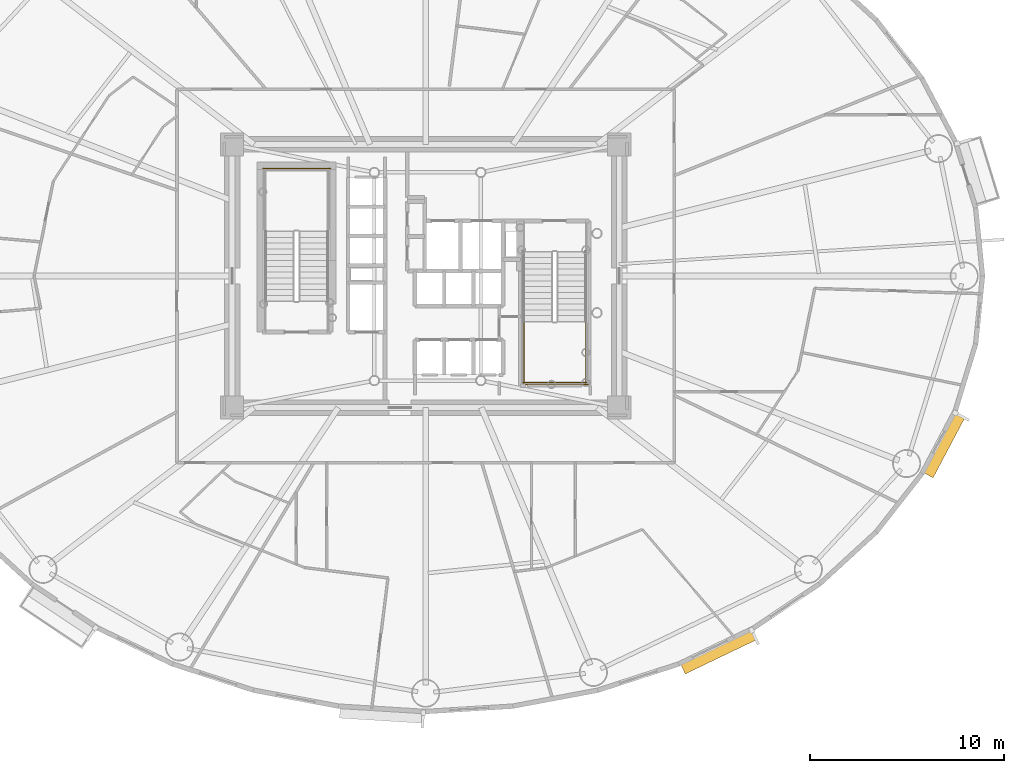
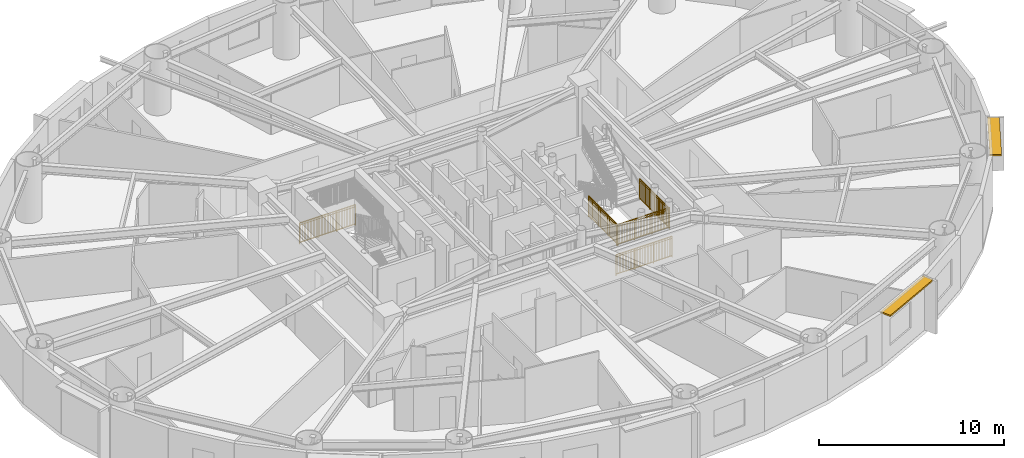
# One storey, part 16 of 18: 5 railings, 2 shading devices.
"""IFC4 building model written with IfcOpenShell, lengths in metres."""

from ifc_helpers import new_model, si_unit, direction, frame, origin, origin_2d, place, context, subcontext, project, spatial, rectangle, extrude, source, transform, mapped, material, layer, layer_set, type_object, element, save


model = new_model("IFC4")

# Units and contexts
model_context = context("Model", 3, precision=1e-05, world=origin(), true_north=direction((0.0, 1.0)))
body_context = subcontext(model_context, "Body", "Model", "MODEL_VIEW")
ifc_project = project(units=[si_unit("LENGTHUNIT", "METRE"), si_unit("AREAUNIT", "SQUARE_METRE"), si_unit("VOLUMEUNIT", "CUBIC_METRE"), si_unit("PLANEANGLEUNIT", "RADIAN"), si_unit("MASSUNIT", "GRAM", prefix="KILO")], contexts=[model_context])

# Site, building, storey
site_placement = place(None, origin())
site = spatial("IfcSite", under=ifc_project, at=site_placement, CompositionType="ELEMENT")
building_placement = place(site_placement, origin())
building = spatial("IfcBuilding", under=site, at=building_placement, Name="Linh Dai School and Residence Tower", CompositionType="ELEMENT")
storey_placement = place(building_placement, frame((0.0, 0.0, 100.949951171875)))
storey = spatial("IfcBuildingStorey", under=building, at=storey_placement, Name="L23", CompositionType="ELEMENT", Elevation=100.949951171875)

# Shading devices
ifc_material_1 = material(Name="Terracotta Ceramic Sunshade", Category="masonry")
ifc_layer = layer(ifc_material_1, 0.10009765625)
ifc_layer_set = layer_set([ifc_layer], Name="Terracotta Ceramic Sunshade")
shading_device_type = type_object("IfcShadingDeviceType", Name="SHD-TC-650", PredefinedType="USERDEFINED", material=ifc_layer_set)
shared_shape_1 = source(origin(), body_context, "Body", "SweptSolid", [
    extrude(rectangle(XDim=4.1005859375, YDim=0.64990234375, at=origin_2d()), origin(), (0.0, 0.0, 1.0), 0.10009765625),
])
shading_device_1_placement = place(storey_placement, frame((51.122802734375, 7.61962890625, 3.3798828125), z_axis=(0.0, 0.0, 1.0), x_axis=(-0.901577518371, -0.432617589064, 0.0)))
element("IfcShadingDevice", 1, at=shading_device_1_placement, inside=storey, type_object=shading_device_type, Name="L23 Terracotta Horizontal Sunshade Band 34", ObjectType="SUNSHADE", PredefinedType="USERDEFINED", context=body_context, shape_type="MappedRepresentation", body=[
    mapped(shared_shape_1, transform((0.0, 0.0, 0.0), x_axis=(1.0, 0.0, 0.0), y_axis=(0.0, 1.0, 0.0), z_axis=(0.0, 0.0, 1.0), scale=1.0)),
])
shared_shape_2 = source(origin(), body_context, "Body", "SweptSolid", [
    extrude(rectangle(XDim=3.541015625, YDim=0.64990234375, at=origin_2d()), origin(), (0.0, 0.0, 1.0), 0.10009765625),
])
shading_device_2_placement = place(storey_placement, frame((62.759521484375, 18.291259765625, 3.3798828125), z_axis=(0.0, 0.0, 1.0), x_axis=(-0.467596217252, -0.883942180016, 0.0)))
element("IfcShadingDevice", 2, at=shading_device_2_placement, inside=storey, type_object=shading_device_type, Name="L23 Terracotta Horizontal Sunshade Band 38", ObjectType="SUNSHADE", PredefinedType="USERDEFINED", context=body_context, shape_type="MappedRepresentation", body=[
    mapped(shared_shape_2, transform((0.0, 0.0, 0.0), x_axis=(1.0, 0.0, 0.0), y_axis=(0.0, 1.0, 0.0), z_axis=(0.0, 0.0, 1.0), scale=1.0)),
])

# Railings
ifc_material_2 = material(Name="Structural Steel S355JR", Category="steel")
railing_type = type_object("IfcRailingType", Name="RL-ST-GUARD-1400", PredefinedType="GUARDRAIL", material=ifc_material_2)
shared_shape_3 = source(origin(), body_context, "Body", "SweptSolid", [
    extrude(rectangle(XDim=0.048095703125, YDim=0.048095703125, at=origin_2d()), frame((0.0, 0.0, 1.3759765625), z_axis=(-1.0, 0.0, 0.0), x_axis=(0.0, -1.0, 0.0)), (0.0, 0.0, 1.0), 3.5),
    extrude(rectangle(XDim=0.048095703125, YDim=0.048095703125, at=origin_2d()), frame((0.0, 0.0, 0.10009765625), z_axis=(-1.0, 0.0, 0.0), x_axis=(0.0, -1.0, 0.0)), (0.0, 0.0, 1.0), 3.5),
    extrude(rectangle(XDim=0.030029296875, YDim=0.030029296875, at=origin_2d()), frame((0.0, 0.0, 1.239990234375), z_axis=(-1.0, 0.0, 0.0), x_axis=(0.0, -1.0, 0.0)), (0.0, 0.0, 1.0), 3.5),
    extrude(rectangle(XDim=0.02001953125, YDim=0.02001953125, at=origin_2d()), frame((-0.09716796875, 0.0, 0.10009765625)), (0.0, 0.0, 1.0), 1.251708984375),
    extrude(rectangle(XDim=0.02001953125, YDim=0.02001953125, at=origin_2d()), frame((-0.1943359375, 0.0, 0.10009765625)), (0.0, 0.0, 1.0), 1.251708984375),
    extrude(rectangle(XDim=0.02001953125, YDim=0.02001953125, at=origin_2d()), frame((-0.291748046875, 0.0, 0.10009765625)), (0.0, 0.0, 1.0), 1.251708984375),
    extrude(rectangle(XDim=0.02001953125, YDim=0.02001953125, at=origin_2d()), frame((-0.388916015625, 0.0, 0.10009765625)), (0.0, 0.0, 1.0), 1.251708984375),
    extrude(rectangle(XDim=0.02001953125, YDim=0.02001953125, at=origin_2d()), frame((-0.486083984375, 0.0, 0.10009765625)), (0.0, 0.0, 1.0), 1.251708984375),
    extrude(rectangle(XDim=0.02001953125, YDim=0.02001953125, at=origin_2d()), frame((-0.583251953125, 0.0, 0.10009765625)), (0.0, 0.0, 1.0), 1.251708984375),
    extrude(rectangle(XDim=0.02001953125, YDim=0.02001953125, at=origin_2d()), frame((-0.6806640625, 0.0, 0.10009765625)), (0.0, 0.0, 1.0), 1.251708984375),
    extrude(rectangle(XDim=0.02001953125, YDim=0.02001953125, at=origin_2d()), frame((-0.77783203125, 0.0, 0.10009765625)), (0.0, 0.0, 1.0), 1.251708984375),
    extrude(rectangle(XDim=0.02001953125, YDim=0.02001953125, at=origin_2d()), frame((-0.875, 0.0, 0.10009765625)), (0.0, 0.0, 1.0), 1.251708984375),
    extrude(rectangle(XDim=0.02001953125, YDim=0.02001953125, at=origin_2d()), frame((-0.97216796875, 0.0, 0.10009765625)), (0.0, 0.0, 1.0), 1.251708984375),
    extrude(rectangle(XDim=0.02001953125, YDim=0.02001953125, at=origin_2d()), frame((-1.0693359375, 0.0, 0.10009765625)), (0.0, 0.0, 1.0), 1.251708984375),
    extrude(rectangle(XDim=0.02001953125, YDim=0.02001953125, at=origin_2d()), frame((-1.263916015625, 0.0, 0.10009765625)), (0.0, 0.0, 1.0), 1.251708984375),
    extrude(rectangle(XDim=0.02001953125, YDim=0.02001953125, at=origin_2d()), frame((-1.361083984375, 0.0, 0.10009765625)), (0.0, 0.0, 1.0), 1.251708984375),
    extrude(rectangle(XDim=0.02001953125, YDim=0.02001953125, at=origin_2d()), frame((-1.458251953125, 0.0, 0.10009765625)), (0.0, 0.0, 1.0), 1.251708984375),
    extrude(rectangle(XDim=0.02001953125, YDim=0.02001953125, at=origin_2d()), frame((-1.5556640625, 0.0, 0.10009765625)), (0.0, 0.0, 1.0), 1.251708984375),
    extrude(rectangle(XDim=0.02001953125, YDim=0.02001953125, at=origin_2d()), frame((-1.65283203125, 0.0, 0.10009765625)), (0.0, 0.0, 1.0), 1.251708984375),
    extrude(rectangle(XDim=0.02001953125, YDim=0.02001953125, at=origin_2d()), frame((-1.75, 0.0, 0.10009765625)), (0.0, 0.0, 1.0), 1.251708984375),
    extrude(rectangle(XDim=0.02001953125, YDim=0.02001953125, at=origin_2d()), frame((-1.84716796875, 0.0, 0.10009765625)), (0.0, 0.0, 1.0), 1.251708984375),
    extrude(rectangle(XDim=0.02001953125, YDim=0.02001953125, at=origin_2d()), frame((-1.9443359375, 0.0, 0.10009765625)), (0.0, 0.0, 1.0), 1.251708984375),
    extrude(rectangle(XDim=0.02001953125, YDim=0.02001953125, at=origin_2d()), frame((-2.041748046875, 0.0, 0.10009765625)), (0.0, 0.0, 1.0), 1.251708984375),
    extrude(rectangle(XDim=0.02001953125, YDim=0.02001953125, at=origin_2d()), frame((-2.138916015625, 0.0, 0.10009765625)), (0.0, 0.0, 1.0), 1.251708984375),
    extrude(rectangle(XDim=0.02001953125, YDim=0.02001953125, at=origin_2d()), frame((-2.236083984375, 0.0, 0.10009765625)), (0.0, 0.0, 1.0), 1.251708984375),
    extrude(rectangle(XDim=0.02001953125, YDim=0.02001953125, at=origin_2d()), frame((-2.4306640625, 0.0, 0.10009765625)), (0.0, 0.0, 1.0), 1.251708984375),
    extrude(rectangle(XDim=0.02001953125, YDim=0.02001953125, at=origin_2d()), frame((-2.52783203125, 0.0, 0.10009765625)), (0.0, 0.0, 1.0), 1.251708984375),
    extrude(rectangle(XDim=0.02001953125, YDim=0.02001953125, at=origin_2d()), frame((-2.625, 0.0, 0.10009765625)), (0.0, 0.0, 1.0), 1.251708984375),
    extrude(rectangle(XDim=0.02001953125, YDim=0.02001953125, at=origin_2d()), frame((-2.72216796875, 0.0, 0.10009765625)), (0.0, 0.0, 1.0), 1.251708984375),
    extrude(rectangle(XDim=0.02001953125, YDim=0.02001953125, at=origin_2d()), frame((-2.8193359375, 0.0, 0.10009765625)), (0.0, 0.0, 1.0), 1.251708984375),
    extrude(rectangle(XDim=0.02001953125, YDim=0.02001953125, at=origin_2d()), frame((-2.916748046875, 0.0, 0.10009765625)), (0.0, 0.0, 1.0), 1.251708984375),
    extrude(rectangle(XDim=0.02001953125, YDim=0.02001953125, at=origin_2d()), frame((-3.013916015625, 0.0, 0.10009765625)), (0.0, 0.0, 1.0), 1.251708984375),
    extrude(rectangle(XDim=0.02001953125, YDim=0.02001953125, at=origin_2d()), frame((-3.111083984375, 0.0, 0.10009765625)), (0.0, 0.0, 1.0), 1.251708984375),
    extrude(rectangle(XDim=0.02001953125, YDim=0.02001953125, at=origin_2d()), frame((-3.208251953125, 0.0, 0.10009765625)), (0.0, 0.0, 1.0), 1.251708984375),
    extrude(rectangle(XDim=0.02001953125, YDim=0.02001953125, at=origin_2d()), frame((-3.3056640625, 0.0, 0.10009765625)), (0.0, 0.0, 1.0), 1.251708984375),
    extrude(rectangle(XDim=0.02001953125, YDim=0.02001953125, at=origin_2d()), frame((-3.40283203125, 0.0, 0.10009765625)), (0.0, 0.0, 1.0), 1.251708984375),
    extrude(rectangle(XDim=0.0419921875, YDim=0.0419921875, at=origin_2d()), origin(), (0.0, 0.0, 1.0), 1.3759765625),
    extrude(rectangle(XDim=0.0419921875, YDim=0.0419921875, at=origin_2d()), frame((-1.166748046875, 0.0, 0.0)), (0.0, 0.0, 1.0), 1.3759765625),
    extrude(rectangle(XDim=0.0419921875, YDim=0.0419921875, at=origin_2d()), frame((-2.333251953125, 0.0, 0.0)), (0.0, 0.0, 1.0), 1.3759765625),
    extrude(rectangle(XDim=0.0419921875, YDim=0.0419921875, at=origin_2d()), frame((-3.5, 0.0, 0.0)), (0.0, 0.0, 1.0), 1.3759765625),
])
railing_1_placement = place(storey_placement, frame((31.080078125, 32.550048828125, 0.0)))
element("IfcRailing", 3, at=railing_1_placement, inside=storey, type_object=railing_type, Name="L23 ST1 stair guard 12", PredefinedType="GUARDRAIL", context=body_context, shape_type="MappedRepresentation", body=[
    mapped(shared_shape_3, transform((0.0, 0.0, 0.0), x_axis=(1.0, 0.0, 0.0), y_axis=(0.0, 1.0, 0.0), z_axis=(0.0, 0.0, 1.0), scale=1.0)),
])
shared_shape_4 = source(origin(), body_context, "Body", "SweptSolid", [
    extrude(rectangle(XDim=0.048095703125, YDim=0.048095703125, at=origin_2d()), frame((0.0, 0.0, 1.3759765625), z_axis=(1.0, 0.0, 0.0), x_axis=(0.0, 1.0, 0.0)), (0.0, 0.0, 1.0), 3.300048828125),
    extrude(rectangle(XDim=0.048095703125, YDim=0.048095703125, at=origin_2d()), frame((0.0, 0.0, 0.10009765625), z_axis=(1.0, 0.0, 0.0), x_axis=(0.0, 1.0, 0.0)), (0.0, 0.0, 1.0), 3.300048828125),
    extrude(rectangle(XDim=0.030029296875, YDim=0.030029296875, at=origin_2d()), frame((0.0, 0.0, 1.239990234375), z_axis=(1.0, 0.0, 0.0), x_axis=(0.0, 1.0, 0.0)), (0.0, 0.0, 1.0), 3.300048828125),
    extrude(rectangle(XDim=0.02001953125, YDim=0.02001953125, at=origin_2d()), frame((0.09716796875, 0.0, 0.10009765625)), (0.0, 0.0, 1.0), 1.251708984375),
    extrude(rectangle(XDim=0.02001953125, YDim=0.02001953125, at=origin_2d()), frame((0.194091796875, 0.0, 0.10009765625)), (0.0, 0.0, 1.0), 1.251708984375),
    extrude(rectangle(XDim=0.02001953125, YDim=0.02001953125, at=origin_2d()), frame((0.291259765625, 0.0, 0.10009765625)), (0.0, 0.0, 1.0), 1.251708984375),
    extrude(rectangle(XDim=0.02001953125, YDim=0.02001953125, at=origin_2d()), frame((0.38818359375, 0.0, 0.10009765625)), (0.0, 0.0, 1.0), 1.251708984375),
    extrude(rectangle(XDim=0.02001953125, YDim=0.02001953125, at=origin_2d()), frame((0.4853515625, 0.0, 0.10009765625)), (0.0, 0.0, 1.0), 1.251708984375),
    extrude(rectangle(XDim=0.02001953125, YDim=0.02001953125, at=origin_2d()), frame((0.582275390625, 0.0, 0.10009765625)), (0.0, 0.0, 1.0), 1.251708984375),
    extrude(rectangle(XDim=0.02001953125, YDim=0.02001953125, at=origin_2d()), frame((0.679443359375, 0.0, 0.10009765625)), (0.0, 0.0, 1.0), 1.251708984375),
    extrude(rectangle(XDim=0.02001953125, YDim=0.02001953125, at=origin_2d()), frame((0.7763671875, 0.0, 0.10009765625)), (0.0, 0.0, 1.0), 1.251708984375),
    extrude(rectangle(XDim=0.02001953125, YDim=0.02001953125, at=origin_2d()), frame((0.87353515625, 0.0, 0.10009765625)), (0.0, 0.0, 1.0), 1.251708984375),
    extrude(rectangle(XDim=0.02001953125, YDim=0.02001953125, at=origin_2d()), frame((0.970703125, 0.0, 0.10009765625)), (0.0, 0.0, 1.0), 1.251708984375),
    extrude(rectangle(XDim=0.02001953125, YDim=0.02001953125, at=origin_2d()), frame((1.164794921875, 0.0, 0.10009765625)), (0.0, 0.0, 1.0), 1.251708984375),
    extrude(rectangle(XDim=0.02001953125, YDim=0.02001953125, at=origin_2d()), frame((1.26171875, 0.0, 0.10009765625)), (0.0, 0.0, 1.0), 1.251708984375),
    extrude(rectangle(XDim=0.02001953125, YDim=0.02001953125, at=origin_2d()), frame((1.35888671875, 0.0, 0.10009765625)), (0.0, 0.0, 1.0), 1.251708984375),
    extrude(rectangle(XDim=0.02001953125, YDim=0.02001953125, at=origin_2d()), frame((1.455810546875, 0.0, 0.10009765625)), (0.0, 0.0, 1.0), 1.251708984375),
    extrude(rectangle(XDim=0.02001953125, YDim=0.02001953125, at=origin_2d()), frame((1.552978515625, 0.0, 0.10009765625)), (0.0, 0.0, 1.0), 1.251708984375),
    extrude(rectangle(XDim=0.02001953125, YDim=0.02001953125, at=origin_2d()), frame((1.64990234375, 0.0, 0.10009765625)), (0.0, 0.0, 1.0), 1.251708984375),
    extrude(rectangle(XDim=0.02001953125, YDim=0.02001953125, at=origin_2d()), frame((1.7470703125, 0.0, 0.10009765625)), (0.0, 0.0, 1.0), 1.251708984375),
    extrude(rectangle(XDim=0.02001953125, YDim=0.02001953125, at=origin_2d()), frame((1.84423828125, 0.0, 0.10009765625)), (0.0, 0.0, 1.0), 1.251708984375),
    extrude(rectangle(XDim=0.02001953125, YDim=0.02001953125, at=origin_2d()), frame((1.941162109375, 0.0, 0.10009765625)), (0.0, 0.0, 1.0), 1.251708984375),
    extrude(rectangle(XDim=0.02001953125, YDim=0.02001953125, at=origin_2d()), frame((2.038330078125, 0.0, 0.10009765625)), (0.0, 0.0, 1.0), 1.251708984375),
    extrude(rectangle(XDim=0.02001953125, YDim=0.02001953125, at=origin_2d()), frame((2.13525390625, 0.0, 0.10009765625)), (0.0, 0.0, 1.0), 1.251708984375),
    extrude(rectangle(XDim=0.02001953125, YDim=0.02001953125, at=origin_2d()), frame((2.329345703125, 0.0, 0.10009765625)), (0.0, 0.0, 1.0), 1.251708984375),
    extrude(rectangle(XDim=0.02001953125, YDim=0.02001953125, at=origin_2d()), frame((2.426513671875, 0.0, 0.10009765625)), (0.0, 0.0, 1.0), 1.251708984375),
    extrude(rectangle(XDim=0.02001953125, YDim=0.02001953125, at=origin_2d()), frame((2.523681640625, 0.0, 0.10009765625)), (0.0, 0.0, 1.0), 1.251708984375),
    extrude(rectangle(XDim=0.02001953125, YDim=0.02001953125, at=origin_2d()), frame((2.62060546875, 0.0, 0.10009765625)), (0.0, 0.0, 1.0), 1.251708984375),
    extrude(rectangle(XDim=0.02001953125, YDim=0.02001953125, at=origin_2d()), frame((2.7177734375, 0.0, 0.10009765625)), (0.0, 0.0, 1.0), 1.251708984375),
    extrude(rectangle(XDim=0.02001953125, YDim=0.02001953125, at=origin_2d()), frame((2.814697265625, 0.0, 0.10009765625)), (0.0, 0.0, 1.0), 1.251708984375),
    extrude(rectangle(XDim=0.02001953125, YDim=0.02001953125, at=origin_2d()), frame((2.911865234375, 0.0, 0.10009765625)), (0.0, 0.0, 1.0), 1.251708984375),
    extrude(rectangle(XDim=0.02001953125, YDim=0.02001953125, at=origin_2d()), frame((3.0087890625, 0.0, 0.10009765625)), (0.0, 0.0, 1.0), 1.251708984375),
    extrude(rectangle(XDim=0.02001953125, YDim=0.02001953125, at=origin_2d()), frame((3.10595703125, 0.0, 0.10009765625)), (0.0, 0.0, 1.0), 1.251708984375),
    extrude(rectangle(XDim=0.02001953125, YDim=0.02001953125, at=origin_2d()), frame((3.202880859375, 0.0, 0.10009765625)), (0.0, 0.0, 1.0), 1.251708984375),
    extrude(rectangle(XDim=0.0419921875, YDim=0.0419921875, at=origin_2d()), origin(), (0.0, 0.0, 1.0), 1.3759765625),
    extrude(rectangle(XDim=0.0419921875, YDim=0.0419921875, at=origin_2d()), frame((1.10009765625, 0.0, 0.0)), (0.0, 0.0, 1.0), 1.3759765625),
    extrude(rectangle(XDim=0.0419921875, YDim=0.0419921875, at=origin_2d()), frame((2.199951171875, 0.0, 0.0)), (0.0, 0.0, 1.0), 1.3759765625),
    extrude(rectangle(XDim=0.0419921875, YDim=0.0419921875, at=origin_2d()), frame((3.300048828125, 0.0, 0.0)), (0.0, 0.0, 1.0), 1.3759765625),
])
railing_2_placement = place(storey_placement, frame((41.02001953125, 21.5, 1.875)))
element("IfcRailing", 4, at=railing_2_placement, inside=storey, type_object=railing_type, Name="L23 ST2 stair guard 5", PredefinedType="GUARDRAIL", context=body_context, shape_type="MappedRepresentation", body=[
    mapped(shared_shape_4, transform((0.0, 0.0, 0.0), x_axis=(1.0, 0.0, 0.0), y_axis=(0.0, 1.0, 0.0), z_axis=(0.0, 0.0, 1.0), scale=1.0)),
])
shared_shape_5 = source(origin(), body_context, "Body", "SweptSolid", [
    extrude(rectangle(XDim=0.048095703125, YDim=0.048095703125, at=origin_2d()), frame((0.0, 0.0, 1.3759765625), z_axis=(1.0, 0.0, 0.0), x_axis=(0.0, 1.0, 0.0)), (0.0, 0.0, 1.0), 3.5),
    extrude(rectangle(XDim=0.048095703125, YDim=0.048095703125, at=origin_2d()), frame((0.0, 0.0, 0.10009765625), z_axis=(1.0, 0.0, 0.0), x_axis=(0.0, 1.0, 0.0)), (0.0, 0.0, 1.0), 3.5),
    extrude(rectangle(XDim=0.030029296875, YDim=0.030029296875, at=origin_2d()), frame((0.0, 0.0, 1.239990234375), z_axis=(1.0, 0.0, 0.0), x_axis=(0.0, 1.0, 0.0)), (0.0, 0.0, 1.0), 3.5),
    extrude(rectangle(XDim=0.02001953125, YDim=0.02001953125, at=origin_2d()), frame((0.09716796875, 0.0, 0.10009765625)), (0.0, 0.0, 1.0), 1.251708984375),
    extrude(rectangle(XDim=0.02001953125, YDim=0.02001953125, at=origin_2d()), frame((0.1943359375, 0.0, 0.10009765625)), (0.0, 0.0, 1.0), 1.251708984375),
    extrude(rectangle(XDim=0.02001953125, YDim=0.02001953125, at=origin_2d()), frame((0.291748046875, 0.0, 0.10009765625)), (0.0, 0.0, 1.0), 1.251708984375),
    extrude(rectangle(XDim=0.02001953125, YDim=0.02001953125, at=origin_2d()), frame((0.388916015625, 0.0, 0.10009765625)), (0.0, 0.0, 1.0), 1.251708984375),
    extrude(rectangle(XDim=0.02001953125, YDim=0.02001953125, at=origin_2d()), frame((0.486083984375, 0.0, 0.10009765625)), (0.0, 0.0, 1.0), 1.251708984375),
    extrude(rectangle(XDim=0.02001953125, YDim=0.02001953125, at=origin_2d()), frame((0.583251953125, 0.0, 0.10009765625)), (0.0, 0.0, 1.0), 1.251708984375),
    extrude(rectangle(XDim=0.02001953125, YDim=0.02001953125, at=origin_2d()), frame((0.6806640625, 0.0, 0.10009765625)), (0.0, 0.0, 1.0), 1.251708984375),
    extrude(rectangle(XDim=0.02001953125, YDim=0.02001953125, at=origin_2d()), frame((0.77783203125, 0.0, 0.10009765625)), (0.0, 0.0, 1.0), 1.251708984375),
    extrude(rectangle(XDim=0.02001953125, YDim=0.02001953125, at=origin_2d()), frame((0.875, 0.0, 0.10009765625)), (0.0, 0.0, 1.0), 1.251708984375),
    extrude(rectangle(XDim=0.02001953125, YDim=0.02001953125, at=origin_2d()), frame((0.97216796875, 0.0, 0.10009765625)), (0.0, 0.0, 1.0), 1.251708984375),
    extrude(rectangle(XDim=0.02001953125, YDim=0.02001953125, at=origin_2d()), frame((1.0693359375, 0.0, 0.10009765625)), (0.0, 0.0, 1.0), 1.251708984375),
    extrude(rectangle(XDim=0.02001953125, YDim=0.02001953125, at=origin_2d()), frame((1.263916015625, 0.0, 0.10009765625)), (0.0, 0.0, 1.0), 1.251708984375),
    extrude(rectangle(XDim=0.02001953125, YDim=0.02001953125, at=origin_2d()), frame((1.361083984375, 0.0, 0.10009765625)), (0.0, 0.0, 1.0), 1.251708984375),
    extrude(rectangle(XDim=0.02001953125, YDim=0.02001953125, at=origin_2d()), frame((1.458251953125, 0.0, 0.10009765625)), (0.0, 0.0, 1.0), 1.251708984375),
    extrude(rectangle(XDim=0.02001953125, YDim=0.02001953125, at=origin_2d()), frame((1.5556640625, 0.0, 0.10009765625)), (0.0, 0.0, 1.0), 1.251708984375),
    extrude(rectangle(XDim=0.02001953125, YDim=0.02001953125, at=origin_2d()), frame((1.65283203125, 0.0, 0.10009765625)), (0.0, 0.0, 1.0), 1.251708984375),
    extrude(rectangle(XDim=0.02001953125, YDim=0.02001953125, at=origin_2d()), frame((1.75, 0.0, 0.10009765625)), (0.0, 0.0, 1.0), 1.251708984375),
    extrude(rectangle(XDim=0.02001953125, YDim=0.02001953125, at=origin_2d()), frame((1.84716796875, 0.0, 0.10009765625)), (0.0, 0.0, 1.0), 1.251708984375),
    extrude(rectangle(XDim=0.02001953125, YDim=0.02001953125, at=origin_2d()), frame((1.9443359375, 0.0, 0.10009765625)), (0.0, 0.0, 1.0), 1.251708984375),
    extrude(rectangle(XDim=0.02001953125, YDim=0.02001953125, at=origin_2d()), frame((2.041748046875, 0.0, 0.10009765625)), (0.0, 0.0, 1.0), 1.251708984375),
    extrude(rectangle(XDim=0.02001953125, YDim=0.02001953125, at=origin_2d()), frame((2.138916015625, 0.0, 0.10009765625)), (0.0, 0.0, 1.0), 1.251708984375),
    extrude(rectangle(XDim=0.02001953125, YDim=0.02001953125, at=origin_2d()), frame((2.236083984375, 0.0, 0.10009765625)), (0.0, 0.0, 1.0), 1.251708984375),
    extrude(rectangle(XDim=0.02001953125, YDim=0.02001953125, at=origin_2d()), frame((2.4306640625, 0.0, 0.10009765625)), (0.0, 0.0, 1.0), 1.251708984375),
    extrude(rectangle(XDim=0.02001953125, YDim=0.02001953125, at=origin_2d()), frame((2.52783203125, 0.0, 0.10009765625)), (0.0, 0.0, 1.0), 1.251708984375),
    extrude(rectangle(XDim=0.02001953125, YDim=0.02001953125, at=origin_2d()), frame((2.625, 0.0, 0.10009765625)), (0.0, 0.0, 1.0), 1.251708984375),
    extrude(rectangle(XDim=0.02001953125, YDim=0.02001953125, at=origin_2d()), frame((2.72216796875, 0.0, 0.10009765625)), (0.0, 0.0, 1.0), 1.251708984375),
    extrude(rectangle(XDim=0.02001953125, YDim=0.02001953125, at=origin_2d()), frame((2.8193359375, 0.0, 0.10009765625)), (0.0, 0.0, 1.0), 1.251708984375),
    extrude(rectangle(XDim=0.02001953125, YDim=0.02001953125, at=origin_2d()), frame((2.916748046875, 0.0, 0.10009765625)), (0.0, 0.0, 1.0), 1.251708984375),
    extrude(rectangle(XDim=0.02001953125, YDim=0.02001953125, at=origin_2d()), frame((3.013916015625, 0.0, 0.10009765625)), (0.0, 0.0, 1.0), 1.251708984375),
    extrude(rectangle(XDim=0.02001953125, YDim=0.02001953125, at=origin_2d()), frame((3.111083984375, 0.0, 0.10009765625)), (0.0, 0.0, 1.0), 1.251708984375),
    extrude(rectangle(XDim=0.02001953125, YDim=0.02001953125, at=origin_2d()), frame((3.208251953125, 0.0, 0.10009765625)), (0.0, 0.0, 1.0), 1.251708984375),
    extrude(rectangle(XDim=0.02001953125, YDim=0.02001953125, at=origin_2d()), frame((3.3056640625, 0.0, 0.10009765625)), (0.0, 0.0, 1.0), 1.251708984375),
    extrude(rectangle(XDim=0.02001953125, YDim=0.02001953125, at=origin_2d()), frame((3.40283203125, 0.0, 0.10009765625)), (0.0, 0.0, 1.0), 1.251708984375),
    extrude(rectangle(XDim=0.0419921875, YDim=0.0419921875, at=origin_2d()), origin(), (0.0, 0.0, 1.0), 1.3759765625),
    extrude(rectangle(XDim=0.0419921875, YDim=0.0419921875, at=origin_2d()), frame((1.166748046875, 0.0, 0.0)), (0.0, 0.0, 1.0), 1.3759765625),
    extrude(rectangle(XDim=0.0419921875, YDim=0.0419921875, at=origin_2d()), frame((2.333251953125, 0.0, 0.0)), (0.0, 0.0, 1.0), 1.3759765625),
    extrude(rectangle(XDim=0.0419921875, YDim=0.0419921875, at=origin_2d()), frame((3.5, 0.0, 0.0)), (0.0, 0.0, 1.0), 1.3759765625),
])
railing_3_placement = place(storey_placement, frame((40.919921875, 21.39990234375, 0.0)))
element("IfcRailing", 5, at=railing_3_placement, inside=storey, type_object=railing_type, Name="L23 ST2 stair guard 12", PredefinedType="GUARDRAIL", context=body_context, shape_type="MappedRepresentation", body=[
    mapped(shared_shape_5, transform((0.0, 0.0, 0.0), x_axis=(1.0, 0.0, 0.0), y_axis=(0.0, 1.0, 0.0), z_axis=(0.0, 0.0, 1.0), scale=1.0)),
])
shared_shape_6 = source(origin(), body_context, "Body", "SweptSolid", [
    extrude(rectangle(XDim=0.048095703125, YDim=0.048095703125, at=origin_2d()), frame((0.0, 0.0, 1.3759765625), z_axis=(0.0, -1.0, 0.0), x_axis=(1.0, 0.0, 0.0)), (0.0, 0.0, 1.0), 3.199951171875),
    extrude(rectangle(XDim=0.048095703125, YDim=0.048095703125, at=origin_2d()), frame((0.0, 0.0, 0.10009765625), z_axis=(0.0, -1.0, 0.0), x_axis=(1.0, 0.0, 0.0)), (0.0, 0.0, 1.0), 3.199951171875),
    extrude(rectangle(XDim=0.030029296875, YDim=0.030029296875, at=origin_2d()), frame((0.0, 0.0, 1.239990234375), z_axis=(0.0, -1.0, 0.0), x_axis=(1.0, 0.0, 0.0)), (0.0, 0.0, 1.0), 3.199951171875),
    extrude(rectangle(XDim=0.02001953125, YDim=0.02001953125, at=origin_2d()), frame((0.0, -0.096923828125, 0.10009765625)), (0.0, 0.0, 1.0), 1.251708984375),
    extrude(rectangle(XDim=0.02001953125, YDim=0.02001953125, at=origin_2d()), frame((0.0, -0.19384765625, 0.10009765625)), (0.0, 0.0, 1.0), 1.251708984375),
    extrude(rectangle(XDim=0.02001953125, YDim=0.02001953125, at=origin_2d()), frame((0.0, -0.291015625, 0.10009765625)), (0.0, 0.0, 1.0), 1.251708984375),
    extrude(rectangle(XDim=0.02001953125, YDim=0.02001953125, at=origin_2d()), frame((0.0, -0.387939453125, 0.10009765625)), (0.0, 0.0, 1.0), 1.251708984375),
    extrude(rectangle(XDim=0.02001953125, YDim=0.02001953125, at=origin_2d()), frame((0.0, -0.48486328125, 0.10009765625)), (0.0, 0.0, 1.0), 1.251708984375),
    extrude(rectangle(XDim=0.02001953125, YDim=0.02001953125, at=origin_2d()), frame((0.0, -0.581787109375, 0.10009765625)), (0.0, 0.0, 1.0), 1.251708984375),
    extrude(rectangle(XDim=0.02001953125, YDim=0.02001953125, at=origin_2d()), frame((0.0, -0.6787109375, 0.10009765625)), (0.0, 0.0, 1.0), 1.251708984375),
    extrude(rectangle(XDim=0.02001953125, YDim=0.02001953125, at=origin_2d()), frame((0.0, -0.775634765625, 0.10009765625)), (0.0, 0.0, 1.0), 1.251708984375),
    extrude(rectangle(XDim=0.02001953125, YDim=0.02001953125, at=origin_2d()), frame((0.0, -0.872802734375, 0.10009765625)), (0.0, 0.0, 1.0), 1.251708984375),
    extrude(rectangle(XDim=0.02001953125, YDim=0.02001953125, at=origin_2d()), frame((0.0, -0.9697265625, 0.10009765625)), (0.0, 0.0, 1.0), 1.251708984375),
    extrude(rectangle(XDim=0.02001953125, YDim=0.02001953125, at=origin_2d()), frame((0.0, -1.16357421875, 0.10009765625)), (0.0, 0.0, 1.0), 1.251708984375),
    extrude(rectangle(XDim=0.02001953125, YDim=0.02001953125, at=origin_2d()), frame((0.0, -1.260498046875, 0.10009765625)), (0.0, 0.0, 1.0), 1.251708984375),
    extrude(rectangle(XDim=0.02001953125, YDim=0.02001953125, at=origin_2d()), frame((0.0, -1.357666015625, 0.10009765625)), (0.0, 0.0, 1.0), 1.251708984375),
    extrude(rectangle(XDim=0.02001953125, YDim=0.02001953125, at=origin_2d()), frame((0.0, -1.45458984375, 0.10009765625)), (0.0, 0.0, 1.0), 1.251708984375),
    extrude(rectangle(XDim=0.02001953125, YDim=0.02001953125, at=origin_2d()), frame((0.0, -1.551513671875, 0.10009765625)), (0.0, 0.0, 1.0), 1.251708984375),
    extrude(rectangle(XDim=0.02001953125, YDim=0.02001953125, at=origin_2d()), frame((0.0, -1.6484375, 0.10009765625)), (0.0, 0.0, 1.0), 1.251708984375),
    extrude(rectangle(XDim=0.02001953125, YDim=0.02001953125, at=origin_2d()), frame((0.0, -1.745361328125, 0.10009765625)), (0.0, 0.0, 1.0), 1.251708984375),
    extrude(rectangle(XDim=0.02001953125, YDim=0.02001953125, at=origin_2d()), frame((0.0, -1.84228515625, 0.10009765625)), (0.0, 0.0, 1.0), 1.251708984375),
    extrude(rectangle(XDim=0.02001953125, YDim=0.02001953125, at=origin_2d()), frame((0.0, -1.939453125, 0.10009765625)), (0.0, 0.0, 1.0), 1.251708984375),
    extrude(rectangle(XDim=0.02001953125, YDim=0.02001953125, at=origin_2d()), frame((0.0, -2.036376953125, 0.10009765625)), (0.0, 0.0, 1.0), 1.251708984375),
    extrude(rectangle(XDim=0.02001953125, YDim=0.02001953125, at=origin_2d()), frame((0.0, -2.230224609375, 0.10009765625)), (0.0, 0.0, 1.0), 1.251708984375),
    extrude(rectangle(XDim=0.02001953125, YDim=0.02001953125, at=origin_2d()), frame((0.0, -2.3271484375, 0.10009765625)), (0.0, 0.0, 1.0), 1.251708984375),
    extrude(rectangle(XDim=0.02001953125, YDim=0.02001953125, at=origin_2d()), frame((0.0, -2.42431640625, 0.10009765625)), (0.0, 0.0, 1.0), 1.251708984375),
    extrude(rectangle(XDim=0.02001953125, YDim=0.02001953125, at=origin_2d()), frame((0.0, -2.521240234375, 0.10009765625)), (0.0, 0.0, 1.0), 1.251708984375),
    extrude(rectangle(XDim=0.02001953125, YDim=0.02001953125, at=origin_2d()), frame((0.0, -2.6181640625, 0.10009765625)), (0.0, 0.0, 1.0), 1.251708984375),
    extrude(rectangle(XDim=0.02001953125, YDim=0.02001953125, at=origin_2d()), frame((0.0, -2.715087890625, 0.10009765625)), (0.0, 0.0, 1.0), 1.251708984375),
    extrude(rectangle(XDim=0.02001953125, YDim=0.02001953125, at=origin_2d()), frame((0.0, -2.81201171875, 0.10009765625)), (0.0, 0.0, 1.0), 1.251708984375),
    extrude(rectangle(XDim=0.02001953125, YDim=0.02001953125, at=origin_2d()), frame((0.0, -2.908935546875, 0.10009765625)), (0.0, 0.0, 1.0), 1.251708984375),
    extrude(rectangle(XDim=0.02001953125, YDim=0.02001953125, at=origin_2d()), frame((0.0, -3.006103515625, 0.10009765625)), (0.0, 0.0, 1.0), 1.251708984375),
    extrude(rectangle(XDim=0.02001953125, YDim=0.02001953125, at=origin_2d()), frame((0.0, -3.10302734375, 0.10009765625)), (0.0, 0.0, 1.0), 1.251708984375),
    extrude(rectangle(XDim=0.0419921875, YDim=0.0419921875, at=origin_2d()), origin(), (0.0, 0.0, 1.0), 1.3759765625),
    extrude(rectangle(XDim=0.0419921875, YDim=0.0419921875, at=origin_2d()), frame((0.0, -1.066650390625, 0.0)), (0.0, 0.0, 1.0), 1.3759765625),
    extrude(rectangle(XDim=0.0419921875, YDim=0.0419921875, at=origin_2d()), frame((0.0, -2.13330078125, 0.0)), (0.0, 0.0, 1.0), 1.3759765625),
    extrude(rectangle(XDim=0.0419921875, YDim=0.0419921875, at=origin_2d()), frame((0.0, -3.199951171875, 0.0)), (0.0, 0.0, 1.0), 1.3759765625),
])
for number, where, name in (
    (6, (41.070068359375, 24.64990234375, 1.875), "L23 ST2 stair guard 3"),
    (7, (44.27001953125, 24.64990234375, 1.875), "L23 ST2 stair guard 4"),
):
    element("IfcRailing", number, at=place(storey_placement, frame(where)), inside=storey, type_object=railing_type, Name=name, PredefinedType="GUARDRAIL", context=body_context, shape_type="MappedRepresentation", body=[
        mapped(shared_shape_6, transform((0.0, 0.0, 0.0), x_axis=(1.0, 0.0, 0.0), y_axis=(0.0, 1.0, 0.0), z_axis=(0.0, 0.0, 1.0), scale=1.0)),
    ])

save(model, "model.ifc")
